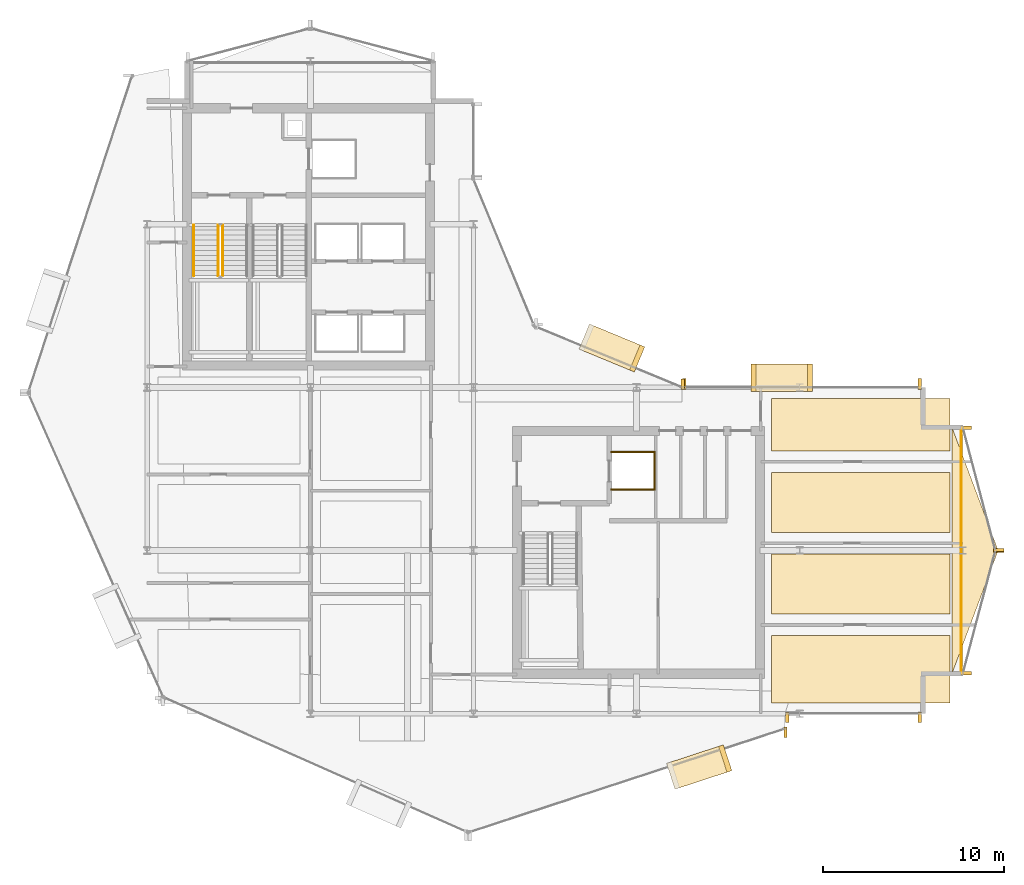
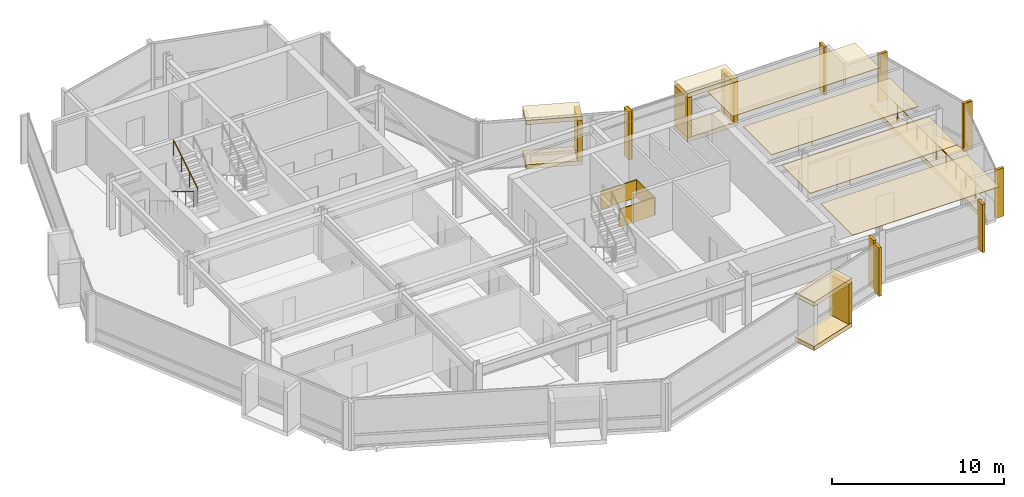
# One storey, part 27 of 28: 28 coverings, 4 railings.
"""IFC4 building model written with IfcOpenShell, lengths in metres."""

import ifcopenshell
import ifcopenshell.guid

model = None  # the IFC model being written
_history = None  # IfcOwnerHistory: only IFC2X3 demands one
_inside = {}  # id of a spatial element -> (the spatial element, [elements in it])
_under = {}  # id of a project, library or spatial element -> (it, [spatial elements below it])
_declared = {}  # id of a project -> (the project, [libraries it declares])
_typed = {}  # id of a type object -> (the type object, [elements of that type])
_made_of = {}  # id of a material, layer set ... -> (it, [elements and type objects made of it])


def new_model(schema):
    """Start an empty IFC model of exactly this schema.

    Asked for "IFC4X3", IfcOpenShell would pick the latest addendum, in which some entities
    have other attributes; the version numbers below select the first issue.
    IFC2X3 requires an IfcOwnerHistory on every rooted entity: one is made here for all.
    """
    global model, _history
    if schema == "IFC4X3":
        model = ifcopenshell.file(schema_version=(4, 3, 0, 0))
    else:
        model = ifcopenshell.file(schema=schema)
    _inside.clear()
    _under.clear()
    _declared.clear()
    _typed.clear()
    _made_of.clear()
    _history = None
    if model.schema == "IFC2X3":
        org = make("IfcOrganization", Name="unknown")
        user = make(
            "IfcPersonAndOrganization",
            ThePerson=make("IfcPerson", FamilyName="unknown"),
            TheOrganization=org,
        )
        app = make(
            "IfcApplication",
            ApplicationDeveloper=org,
            Version="unknown",
            ApplicationFullName="unknown",
            ApplicationIdentifier="unknown",
        )
        _history = make(
            "IfcOwnerHistory",
            OwningUser=user,
            OwningApplication=app,
            ChangeAction="ADDED",
            CreationDate=0,
        )
    return model


def make(cls, **values):
    """One entity of the class cls with the attributes given. An attribute that is None is left unset."""
    return model.create_entity(
        cls, **{name: value for name, value in values.items() if value is not None}
    )


def rooted(cls, **values):
    """An entity with a GlobalId (a new one), such as an element, a storey or a relation."""
    return make(cls, GlobalId=ifcopenshell.guid.new(), OwnerHistory=_history, **values)


def si_unit(unit_type, name, prefix=None):
    """IfcSIUnit, for example si_unit("LENGTHUNIT", "METRE", prefix="MILLI")."""
    return make("IfcSIUnit", UnitType=unit_type, Prefix=prefix, Name=name)


def assignment(units):
    """IfcUnitAssignment: the units of a project."""
    return None if units is None else make("IfcUnitAssignment", Units=units)


def point(xyz):
    """IfcCartesianPoint."""
    return None if xyz is None else make("IfcCartesianPoint", Coordinates=xyz)


def direction(xyz):
    """IfcDirection."""
    return None if xyz is None else make("IfcDirection", DirectionRatios=xyz)


def frame(location, z_axis=None, x_axis=None):
    """IfcAxis2Placement3D, a coordinate frame: its origin and axes. An axis left out is left unset."""
    return make(
        "IfcAxis2Placement3D",
        Location=point(location),
        Axis=direction(z_axis),
        RefDirection=direction(x_axis),
    )


def frame_2d(location, x_axis=None):
    """IfcAxis2Placement2D, a coordinate frame in the plane: its origin and x axis."""
    return make(
        "IfcAxis2Placement2D", Location=point(location), RefDirection=direction(x_axis)
    )


def origin():
    """The frame at (0, 0, 0) with its axes left unset."""
    return frame((0.0, 0.0, 0.0))


def origin_2d():
    """The frame at (0, 0) in the plane with its x axis left unset."""
    return frame_2d((0.0, 0.0))


def place(relative_to, where):
    """IfcLocalPlacement: puts the frame where relative to a parent placement (None: the world)."""
    return make(
        "IfcLocalPlacement", PlacementRelTo=relative_to, RelativePlacement=where
    )


def context(
    kind, dimensions, precision=None, world=None, true_north=None, identifier=None
):
    """IfcGeometricRepresentationContext, for example the 3D "Model" context."""
    return make(
        "IfcGeometricRepresentationContext",
        ContextIdentifier=identifier,
        ContextType=kind,
        CoordinateSpaceDimension=dimensions,
        Precision=precision,
        WorldCoordinateSystem=world,
        TrueNorth=true_north,
    )


def subcontext(parent, identifier, kind, view, scale=None):
    """IfcGeometricRepresentationSubContext, for example "Body" below "Model"."""
    return make(
        "IfcGeometricRepresentationSubContext",
        ContextIdentifier=identifier,
        ContextType=kind,
        ParentContext=parent,
        TargetScale=scale,
        TargetView=view,
    )


def project(units=None, contexts=None):
    """IfcProject with its units and contexts."""
    return rooted(
        "IfcProject",
        Name="project",
        RepresentationContexts=contexts,
        UnitsInContext=assignment(units),
    )


def spatial(cls, under=None, at=None, **own):
    """A site, building, storey or space (cls), placed at a placement, below another one or the project."""
    s = rooted(cls, ObjectPlacement=at, **own)
    if under is not None:
        _under.setdefault(under.id(), (under, []))[1].append(s)
    return s


def polyline(points):
    """IfcPolyline through the points."""
    return make("IfcPolyline", Points=[point(p) for p in points])


def profile(cls, at=None, kind="AREA", **sizes):
    """A parametric profile (cls). Its sizes go by their IFC names, for example OverallWidth=200.0."""
    return make(cls, ProfileType=kind, Position=at, **sizes)


def rectangle(**sizes):
    """IfcRectangleProfileDef."""
    return profile("IfcRectangleProfileDef", **sizes)


def circle(**sizes):
    """IfcCircleProfileDef."""
    return profile("IfcCircleProfileDef", **sizes)


def outline(outer, holes=None, kind="AREA"):
    """IfcArbitraryClosedProfileDef: a profile drawn as a closed curve; with holes, ...WithVoids."""
    if holes is None:
        return make("IfcArbitraryClosedProfileDef", ProfileType=kind, OuterCurve=outer)
    return make(
        "IfcArbitraryProfileDefWithVoids",
        ProfileType=kind,
        OuterCurve=outer,
        InnerCurves=holes,
    )


def extrude(swept, where, along, depth):
    """IfcExtrudedAreaSolid: the profile swept, set in the frame where, extruded along a direction by depth."""
    return make(
        "IfcExtrudedAreaSolid",
        SweptArea=swept,
        Position=where,
        ExtrudedDirection=direction(along),
        Depth=depth,
    )


def shape(context_of_items, identifier, shape_type, items):
    """IfcShapeRepresentation: the items that make up one representation, for example the "Body"."""
    return make(
        "IfcShapeRepresentation",
        ContextOfItems=context_of_items,
        RepresentationIdentifier=identifier,
        RepresentationType=shape_type,
        Items=items,
    )


def material(Name=None, Category=None):
    """IfcMaterial."""
    return make("IfcMaterial", Name=Name, Category=Category)


def layer(
    of_material, thickness, ventilated=None, Name=None, Category=None, Priority=None
):
    """IfcMaterialLayer: one layer of a wall or slab, of a material (None: an air gap)."""
    return make(
        "IfcMaterialLayer",
        Material=of_material,
        LayerThickness=thickness,
        IsVentilated=ventilated,
        Name=Name,
        Category=Category,
        Priority=Priority,
    )


def layer_set(layers, Name=None):
    """IfcMaterialLayerSet."""
    return make("IfcMaterialLayerSet", MaterialLayers=layers, LayerSetName=Name)


def made_of(thing, what):
    """Note that an element or type object is made of a material, layer set ...; save() writes the relation."""
    if what is not None:
        _made_of.setdefault(what.id(), (what, []))[1].append(thing)
    return thing


def type_object(cls, material=None, **own):
    """A type object (cls), such as IfcWallType, which elements share."""
    return made_of(rooted(cls, **own), material)


def element(
    cls,
    number,
    at=None,
    inside=None,
    cuts=None,
    type_object=None,
    material=None,
    context=None,
    identifier="Body",
    shape_type=None,
    held_by="IfcProductDefinitionShape",
    body=None,
    shapes=None,
    **own,
):
    """One element of the class cls, such as IfcWall. Its Tag is "e" and its number.

    at: its placement. inside: the storey or other place that contains it. cuts: it is an
    opening in that element (IfcRelVoidsElement). A single representation is given by context,
    identifier, shape_type and body (its items); several are given by shapes. held_by: the class
    of the entity that holds the representations. save() writes the other relations.
    """
    e = rooted(cls, Tag="e%d" % number, ObjectPlacement=at, **own)
    if body is not None:
        shapes = [shape(context, identifier, shape_type, body)]
    if shapes is not None:
        e.Representation = make(held_by, Representations=shapes)
    if inside is not None:
        _inside.setdefault(inside.id(), (inside, []))[1].append(e)
    if cuts is not None:
        rooted(
            "IfcRelVoidsElement", RelatingBuildingElement=cuts, RelatedOpeningElement=e
        )
    if type_object is not None:
        _typed.setdefault(type_object.id(), (type_object, []))[1].append(e)
    return made_of(e, material)


def aggregate(whole, parts):
    """IfcRelAggregates: a whole, such as a stair, and the parts it consists of."""
    return rooted("IfcRelAggregates", RelatingObject=whole, RelatedObjects=parts)


def save(model, path):
    """Write the relations noted so far, then the file.

    IfcRelAggregates (storeys below a building ...), IfcRelContainedInSpatialStructure (elements
    in a storey), IfcRelDefinesByType, IfcRelAssociatesMaterial and IfcRelDeclares: one each for
    every whole, place, type object, material and project.
    """
    for whole, parts in _under.values():
        aggregate(whole, parts)
    for where, things in _inside.values():
        rooted(
            "IfcRelContainedInSpatialStructure",
            RelatedElements=things,
            RelatingStructure=where,
        )
    for kind, things in _typed.values():
        rooted("IfcRelDefinesByType", RelatedObjects=things, RelatingType=kind)
    for what, things in _made_of.values():
        rooted("IfcRelAssociatesMaterial", RelatedObjects=things, RelatingMaterial=what)
    for by, libraries in _declared.values():
        rooted("IfcRelDeclares", RelatingContext=by, RelatedDefinitions=libraries)
    model.write(path)


model = new_model("IFC4")

# Units and contexts
model_context = context("Model", 3, precision=1e-05, world=origin(), true_north=direction((0.0, 1.0)))
body_context = subcontext(model_context, "Body", "Model", "MODEL_VIEW")
ifc_project = project(units=[si_unit("LENGTHUNIT", "METRE"), si_unit("AREAUNIT", "SQUARE_METRE"), si_unit("VOLUMEUNIT", "CUBIC_METRE"), si_unit("PLANEANGLEUNIT", "RADIAN"), si_unit("MASSUNIT", "GRAM", prefix="KILO")], contexts=[model_context])

# Site, building, storey
site_placement = place(None, origin())
site = spatial("IfcSite", under=ifc_project, at=site_placement, CompositionType="ELEMENT")
building_placement = place(site_placement, origin())
building = spatial("IfcBuilding", under=site, at=building_placement, Name="Solvaryn Broadcast Tower", CompositionType="ELEMENT")
storey_placement = place(building_placement, frame((0.0, 0.0, 209.89990234375)))
storey = spatial("IfcBuildingStorey", under=building, at=storey_placement, Name="L52", CompositionType="ELEMENT", Elevation=209.89990234375)

# Coverings
ifc_material_1 = material(Name="Micro-Perforated Acoustic Gypsum Ceiling", Category="concrete")
ifc_layer_1 = layer(ifc_material_1, 0.0400390625)
ifc_layer_set_1 = layer_set([ifc_layer_1], Name="CV-CEIL-ACOUSTIC")
covering_type_1 = type_object("IfcCoveringType", Name="CV-CEIL-ACOUSTIC", PredefinedType="CEILING", material=ifc_layer_set_1)
covering_1_placement = place(storey_placement, frame((0.0, 0.0, 3.380126953125)))
element("IfcCovering", 1, at=covering_1_placement, inside=storey, type_object=covering_type_1, Name="L52 Room Acoustic Ceiling 7", PredefinedType="CEILING", context=body_context, shape_type="SweptSolid", body=[
    extrude(outline(polyline([(43.449951171875, 9.60009765625), (53.300048828125, 9.60009765625), (53.300048828125, 13.300048828125), (43.449951171875, 13.300048828125), (43.449951171875, 9.60009765625)])), origin(), (0.0, 0.0, 1.0), 0.0400390625),
])
covering_2_placement = place(storey_placement, frame((0.0, 0.0, 3.380126953125)))
element("IfcCovering", 2, at=covering_2_placement, inside=storey, type_object=covering_type_1, Name="L52 Room Acoustic Ceiling 8", PredefinedType="CEILING", context=body_context, shape_type="SweptSolid", body=[
    extrude(outline(polyline([(43.449951171875, 14.5), (53.300048828125, 14.5), (53.300048828125, 17.800048828125), (43.449951171875, 17.800048828125), (43.449951171875, 14.5)])), origin(), (0.0, 0.0, 1.0), 0.0400390625),
])
covering_3_placement = place(storey_placement, frame((0.0, 0.0, 3.380126953125)))
element("IfcCovering", 3, at=covering_3_placement, inside=storey, type_object=covering_type_1, Name="L52 Room Acoustic Ceiling 9", PredefinedType="CEILING", context=body_context, shape_type="SweptSolid", body=[
    extrude(outline(polyline([(43.449951171875, 19.0), (53.300048828125, 19.0), (53.300048828125, 22.300048828125), (43.449951171875, 22.300048828125), (43.449951171875, 19.0)])), origin(), (0.0, 0.0, 1.0), 0.0400390625),
])
covering_4_placement = place(storey_placement, frame((0.0, 0.0, 3.380126953125)))
element("IfcCovering", 4, at=covering_4_placement, inside=storey, type_object=covering_type_1, Name="L52 Room Acoustic Ceiling 10", PredefinedType="CEILING", context=body_context, shape_type="SweptSolid", body=[
    extrude(outline(polyline([(43.449951171875, 23.5), (53.300048828125, 23.5), (53.300048828125, 26.39990234375), (43.449951171875, 26.39990234375), (43.449951171875, 23.5)])), origin(), (0.0, 0.0, 1.0), 0.0400390625),
])
ifc_material_2 = material(Name="Fire-Rated Gypsum Shaftwall Liner", Category="concrete")
ifc_layer_2 = layer(ifc_material_2, 0.080078125)
ifc_layer_set_2 = layer_set([ifc_layer_2], Name="CV-SHAFT-LINER")
covering_type_2 = type_object("IfcCoveringType", Name="CV-SHAFT-LINER", PredefinedType="CLADDING", material=ifc_layer_set_2)
for number, where, z_axis, x_axis, name in (
    (5, (35.800048828125, 23.43994140625, 0.0), (0.0, 0.0, 1.0), (1.0, 0.0, 0.0), "L52 FL2 Hoistway Shaft Liner North"),
    (6, (35.800048828125, 21.360107421875, 0.0), (0.0, 0.0, 1.0), (1.0, 0.0, 0.0), "L52 FL2 Hoistway Shaft Liner South"),
):
    element("IfcCovering", number, at=place(storey_placement, frame(where, z_axis=z_axis, x_axis=x_axis)), inside=storey, type_object=covering_type_2, Name=name, PredefinedType="CLADDING", context=body_context, shape_type="SweptSolid", body=[
        extrude(rectangle(XDim=2.4599609375, YDim=0.080078125, at=origin_2d()), origin(), (0.0, 0.0, 1.0), 1.25),
    ])
covering_5_placement = place(storey_placement, frame((36.989990234375, 22.39990234375, 0.0), z_axis=(0.0, 0.0, 1.0), x_axis=(1.0, 0.0, 0.0)))
element("IfcCovering", 7, at=covering_5_placement, inside=storey, type_object=covering_type_2, Name="L52 FL2 Hoistway Shaft Liner East", PredefinedType="CLADDING", context=body_context, shape_type="SweptSolid", body=[
    extrude(rectangle(XDim=0.080078125, YDim=2.159912109375, at=origin_2d()), origin(), (0.0, 0.0, 1.0), 1.25),
])
ifc_material_3 = material(Name="Glazed Architectural Terracotta Rainscreen Cladding", Category="masonry")
ifc_layer_3 = layer(ifc_material_3, 0.280029296875)
ifc_layer_set_3 = layer_set([ifc_layer_3], Name="CV-TC-CLAD")
covering_type_3 = type_object("IfcCoveringType", Name="CV-TC-CLAD", PredefinedType="CLADDING", material=ifc_layer_set_3)
for number, where, z_axis, x_axis, name in (
    (8, (39.4541015625, 6.054931640625, 3.1298828125), (0.0, 0.0, 1.0), (0.950244253402, 0.311505792684, 0.0), "L52 Projecting Stone Window Box Hood 4"),
    (9, (39.4541015625, 6.054931640625, -0.009765625), (0.0, 0.0, 1.0), (0.950244253402, 0.311505792684, 0.0), "L52 Projecting Stone Window Box Sill 4"),
):
    element("IfcCovering", number, at=place(storey_placement, frame(where, z_axis=z_axis, x_axis=x_axis)), inside=storey, type_object=covering_type_3, Name=name, PredefinedType="CLADDING", context=body_context, shape_type="SweptSolid", body=[
        extrude(rectangle(XDim=3.300048828125, YDim=1.5, at=origin_2d()), origin(), (0.0, 0.0, 1.0), 0.300048828125),
    ])
covering_6_placement = place(storey_placement, frame((40.888916015625, 6.525390625, 0.2802734375), z_axis=(0.0, 0.0, 1.0), x_axis=(0.950244253402, 0.311505792684, 0.0)))
element("IfcCovering", 10, at=covering_6_placement, inside=storey, type_object=covering_type_3, Name="L52 Projecting Stone Window Box Cheek 4-2", PredefinedType="CLADDING", context=body_context, shape_type="SweptSolid", body=[
    extrude(rectangle(XDim=0.280029296875, YDim=1.5, at=origin_2d()), origin(), (0.0, 0.0, 1.0), 2.860107421875),
])
for number, where, z_axis, x_axis, name in (
    (11, (34.636962890625, 29.174072265625, 3.1298828125), (0.0, 0.0, 1.0), (-0.923879532511, 0.382683432365, 0.0), "L52 Projecting Stone Window Box Hood 5"),
    (12, (34.636962890625, 29.174072265625, -0.009765625), (0.0, 0.0, 1.0), (-0.923879532511, 0.382683432365, 0.0), "L52 Projecting Stone Window Box Sill 5"),
):
    element("IfcCovering", number, at=place(storey_placement, frame(where, z_axis=z_axis, x_axis=x_axis)), inside=storey, type_object=covering_type_3, Name=name, PredefinedType="CLADDING", context=body_context, shape_type="SweptSolid", body=[
        extrude(rectangle(XDim=3.300048828125, YDim=1.5, at=origin_2d()), origin(), (0.0, 0.0, 1.0), 0.300048828125),
    ])
covering_7_placement = place(storey_placement, frame((36.031982421875, 28.59619140625, 0.2802734375), z_axis=(0.0, 0.0, 1.0), x_axis=(-0.923879532511, 0.382683432365, 0.0)))
element("IfcCovering", 13, at=covering_7_placement, inside=storey, type_object=covering_type_3, Name="L52 Projecting Stone Window Box Cheek 5-1", PredefinedType="CLADDING", context=body_context, shape_type="SweptSolid", body=[
    extrude(rectangle(XDim=0.280029296875, YDim=1.5, at=origin_2d()), origin(), (0.0, 0.0, 1.0), 2.860107421875),
])
for number, where, z_axis, x_axis, name in (
    (14, (44.0, 27.530029296875, 3.1298828125), (0.0, 0.0, 1.0), (1.0, 0.0, 0.0), "L52 Projecting Stone Window Box Hood 6"),
    (15, (44.0, 27.530029296875, -0.009765625), (0.0, 0.0, 1.0), (1.0, 0.0, 0.0), "L52 Projecting Stone Window Box Sill 6"),
):
    element("IfcCovering", number, at=place(storey_placement, frame(where, z_axis=z_axis, x_axis=x_axis)), inside=storey, type_object=covering_type_3, Name=name, PredefinedType="CLADDING", context=body_context, shape_type="SweptSolid", body=[
        extrude(rectangle(XDim=3.39990234375, YDim=1.5, at=origin_2d()), origin(), (0.0, 0.0, 1.0), 0.300048828125),
    ])
for number, where, z_axis, x_axis, name in (
    (16, (42.43994140625, 27.530029296875, 0.2802734375), (0.0, 0.0, 1.0), (1.0, 0.0, 0.0), "L52 Projecting Stone Window Box Cheek 6-1"),
    (17, (45.56005859375, 27.530029296875, 0.2802734375), (0.0, 0.0, 1.0), (1.0, 0.0, 0.0), "L52 Projecting Stone Window Box Cheek 6-2"),
):
    element("IfcCovering", number, at=place(storey_placement, frame(where, z_axis=z_axis, x_axis=x_axis)), inside=storey, type_object=covering_type_3, Name=name, PredefinedType="CLADDING", context=body_context, shape_type="SweptSolid", body=[
        extrude(rectangle(XDim=0.280029296875, YDim=1.5, at=origin_2d()), origin(), (0.0, 0.0, 1.0), 2.860107421875),
    ])
ifc_material_4 = material(Name="Extruded Architectural Terracotta Fin", Category="masonry")
ifc_layer_4 = layer(ifc_material_4, 0.179931640625)
ifc_layer_set_4 = layer_set([ifc_layer_4], Name="CV-TC-FIN")
covering_type_4 = type_object("IfcCoveringType", Name="CV-TC-FIN", PredefinedType="USERDEFINED", material=ifc_layer_set_4)
for number, where, z_axis, x_axis, name in (
    (18, (44.209716796875, 7.982666015625, 0.000244140625), (0.0, 0.0, 1.0), (1.0, 0.0, 0.0), "L52 Terracotta Vertical Fin FIN-L52-DR4-M01"),
    (19, (38.541259765625, 27.177978515625, 0.000244140625), (0.0, 0.0, 1.0), (1.0, 0.0, 0.0), "L52 Terracotta Vertical Fin FIN-L52-CN1-M00"),
    (20, (44.31201171875, 8.8125, 0.000244140625), (0.0, 0.0, 1.0), (1.0, 0.0, 0.0), "L52 Terracotta Vertical Fin FIN-L52-S2-M00"),
    (21, (51.6201171875, 8.8125, 0.000244140625), (0.0, 0.0, 1.0), (1.0, 0.0, 0.0), "L52 Terracotta Vertical Fin FIN-L52-S2-M01"),
):
    element("IfcCovering", number, at=place(storey_placement, frame(where, z_axis=z_axis, x_axis=x_axis)), inside=storey, type_object=covering_type_4, Name=name, ObjectType="FIN", PredefinedType="USERDEFINED", context=body_context, shape_type="SweptSolid", body=[
        extrude(rectangle(XDim=0.179931640625, YDim=0.580078125, at=origin_2d()), origin(), (0.0, 0.0, 1.0), 3.419921875),
    ])
for number, where, z_axis, x_axis, name in (
    (22, (54.1953125, 24.77099609375, 0.000244140625), (0.0, 0.0, 1.0), (1.0, 0.0, 0.0), "L52 Terracotta Vertical Fin FIN-L52-ET1-M00"),
    (23, (55.979736328125, 18.029052734375, 0.000244140625), (0.0, 0.0, 1.0), (1.0, 0.0, 0.0), "L52 Terracotta Vertical Fin FIN-L52-ET1-M01"),
    (24, (55.979736328125, 17.970947265625, 0.000244140625), (0.0, 0.0, 1.0), (1.0, 0.0, 0.0), "L52 Terracotta Vertical Fin FIN-L52-ET2-M00"),
    (25, (54.1953125, 11.22900390625, 0.000244140625), (0.0, 0.0, 1.0), (1.0, 0.0, 0.0), "L52 Terracotta Vertical Fin FIN-L52-ET2-M01"),
):
    element("IfcCovering", number, at=place(storey_placement, frame(where, z_axis=z_axis, x_axis=x_axis)), inside=storey, type_object=covering_type_4, Name=name, ObjectType="FIN", PredefinedType="USERDEFINED", context=body_context, shape_type="SweptSolid", body=[
        extrude(rectangle(XDim=0.580078125, YDim=0.179931640625, at=origin_2d()), origin(), (0.0, 0.0, 1.0), 3.419921875),
    ])
for number, where, z_axis, x_axis, name in (
    (26, (38.6298828125, 27.1875, 0.000244140625), (0.0, 0.0, 1.0), (1.0, 0.0, 0.0), "L52 Terracotta Vertical Fin FIN-L52-IH-M00"),
    (27, (51.6201171875, 27.1875, 0.000244140625), (0.0, 0.0, 1.0), (1.0, 0.0, 0.0), "L52 Terracotta Vertical Fin FIN-L52-IH-M01"),
):
    element("IfcCovering", number, at=place(storey_placement, frame(where, z_axis=z_axis, x_axis=x_axis)), inside=storey, type_object=covering_type_4, Name=name, ObjectType="FIN", PredefinedType="USERDEFINED", context=body_context, shape_type="SweptSolid", body=[
        extrude(rectangle(XDim=0.179931640625, YDim=0.580078125, at=origin_2d()), origin(), (0.0, 0.0, 1.0), 3.419921875),
    ])
ifc_material_5 = material(Name="Sculpted Architectural Terracotta Wave Fascia", Category="masonry")
ifc_layer_5 = layer(ifc_material_5, 0.340087890625)
ifc_layer_set_5 = layer_set([ifc_layer_5], Name="CV-WAVE-TRAY")
covering_type_5 = type_object("IfcCoveringType", Name="CV-WAVE-TRAY", PredefinedType="CLADDING", material=ifc_layer_set_5)
covering_8_placement = place(storey_placement, frame((0.0, 0.0, -0.2998046875)))
element("IfcCovering", 28, at=covering_8_placement, inside=storey, type_object=covering_type_5, Name="L52 East Curved Wing Deck", PredefinedType="CLADDING", context=body_context, shape_type="SweptSolid", body=[
    extrude(outline(polyline([(53.39990234375, 11.199951171875), (55.949951171875, 18.0), (53.39990234375, 24.800048828125), (53.39990234375, 11.199951171875)])), origin(), (0.0, 0.0, 1.0), 0.329833984375),
])

# Railings
ifc_material_6 = material(Name="Painted Steel Stair Well Guard", Category="steel")
railing_type_1 = type_object("IfcRailingType", Name="RL-STAIR-GUARD", PredefinedType="BALUSTRADE", material=ifc_material_6)
railing_1_placement = place(storey_placement, frame((12.909912109375, 35.9599609375, 0.168212890625)))
element("IfcRailing", 29, at=railing_1_placement, inside=storey, type_object=railing_type_1, Name="L52 ST1 stair guard 1", PredefinedType="BALUSTRADE", context=body_context, shape_type="SweptSolid", body=[
    extrude(circle(Radius=0.02392578125, at=origin_2d()), frame((0.0, 0.0, 1.076171875), z_axis=(0.0, -0.857242210791, 0.514913383045), x_axis=(1.0, 0.0, 0.0)), (0.0, 0.0, 1.0), 3.266357421875),
    extrude(circle(Radius=0.02099609375, at=origin_2d()), origin(), (0.0, 0.0, 1.0), 1.052001953125),
    extrude(circle(Radius=0.02099609375, at=origin_2d()), frame((0.0, -0.933349609375, 0.560546875)), (0.0, 0.0, 1.0), 1.052001953125),
    extrude(circle(Radius=0.02099609375, at=origin_2d()), frame((0.0, -1.86669921875, 1.121337890625)), (0.0, 0.0, 1.0), 1.052001953125),
    extrude(circle(Radius=0.02099609375, at=origin_2d()), frame((0.0, -2.800048828125, 1.681884765625)), (0.0, 0.0, 1.0), 1.052001953125),
])
railing_2_placement = place(storey_placement, frame((13.159912109375, 33.159912109375, 2.018310546875)))
element("IfcRailing", 30, at=railing_2_placement, inside=storey, type_object=railing_type_1, Name="L52 ST1 stair guard 3", PredefinedType="BALUSTRADE", context=body_context, shape_type="SweptSolid", body=[
    extrude(circle(Radius=0.02392578125, at=origin_2d()), frame((0.0, 0.0, 1.076171875), z_axis=(0.0, 0.857242210791, 0.514913383045), x_axis=(-1.0, 0.0, 0.0)), (0.0, 0.0, 1.0), 3.266357421875),
    extrude(circle(Radius=0.02099609375, at=origin_2d()), origin(), (0.0, 0.0, 1.0), 1.052001953125),
    extrude(circle(Radius=0.02099609375, at=origin_2d()), frame((0.0, 0.933349609375, 0.560546875)), (0.0, 0.0, 1.0), 1.052001953125),
    extrude(circle(Radius=0.02099609375, at=origin_2d()), frame((0.0, 1.86669921875, 1.121337890625)), (0.0, 0.0, 1.0), 1.052001953125),
    extrude(circle(Radius=0.02099609375, at=origin_2d()), frame((0.0, 2.800048828125, 1.681884765625)), (0.0, 0.0, 1.0), 1.052001953125),
])
ifc_material_7 = material(Name="Brushed Stainless Steel Tubular Handrail", Category="steel")
railing_type_2 = type_object("IfcRailingType", Name="RL-STAIR-HANDRAIL", PredefinedType="HANDRAIL", material=ifc_material_7)
railing_3_placement = place(storey_placement, frame((11.570068359375, 35.9599609375, 0.168212890625)))
element("IfcRailing", 31, at=railing_3_placement, inside=storey, type_object=railing_type_2, Name="L52 ST1 stair handrail 1", PredefinedType="HANDRAIL", context=body_context, shape_type="SweptSolid", body=[
    extrude(circle(Radius=0.02392578125, at=origin_2d()), frame((0.0, 0.0, 0.8759765625), z_axis=(0.0, -0.857242210791, 0.514913383045), x_axis=(1.0, 0.0, 0.0)), (0.0, 0.0, 1.0), 3.266357421875),
    extrude(circle(Radius=0.02099609375, at=origin_2d()), origin(), (0.0, 0.0, 1.0), 0.851806640625),
    extrude(circle(Radius=0.02099609375, at=origin_2d()), frame((0.0, -0.933349609375, 0.560546875)), (0.0, 0.0, 1.0), 0.851806640625),
    extrude(circle(Radius=0.02099609375, at=origin_2d()), frame((0.0, -1.86669921875, 1.121337890625)), (0.0, 0.0, 1.0), 0.851806640625),
    extrude(circle(Radius=0.02099609375, at=origin_2d()), frame((0.0, -2.800048828125, 1.681884765625)), (0.0, 0.0, 1.0), 0.851806640625),
])
ifc_material_8 = material(Name="Stainless Steel and Laminated Glass Guard", Category="steel")
railing_type_3 = type_object("IfcRailingType", Name="RL-TER-1150", PredefinedType="BALUSTRADE", material=ifc_material_8)
railing_4_placement = place(storey_placement, frame((53.919921875, 11.199951171875, 0.0)))
element("IfcRailing", 32, at=railing_4_placement, inside=storey, type_object=railing_type_3, Name="L52 East Wing Spandrel Edge Guard", PredefinedType="BALUSTRADE", context=body_context, shape_type="SweptSolid", body=[
    extrude(circle(Radius=0.02392578125, at=origin_2d()), frame((0.0, 0.0, 1.1259765625), z_axis=(0.0, 1.0, 0.0), x_axis=(-1.0, 0.0, 0.0)), (0.0, 0.0, 1.0), 13.60009765625),
    extrude(circle(Radius=0.02099609375, at=origin_2d()), origin(), (0.0, 0.0, 1.0), 1.101806640625),
    extrude(circle(Radius=0.02099609375, at=origin_2d()), frame((0.0, 1.13330078125, 0.0)), (0.0, 0.0, 1.0), 1.101806640625),
    extrude(circle(Radius=0.02099609375, at=origin_2d()), frame((0.0, 2.2666015625, 0.0)), (0.0, 0.0, 1.0), 1.101806640625),
    extrude(circle(Radius=0.02099609375, at=origin_2d()), frame((0.0, 3.39990234375, 0.0)), (0.0, 0.0, 1.0), 1.101806640625),
    extrude(circle(Radius=0.02099609375, at=origin_2d()), frame((0.0, 4.533447265625, 0.0)), (0.0, 0.0, 1.0), 1.101806640625),
    extrude(circle(Radius=0.02099609375, at=origin_2d()), frame((0.0, 5.666748046875, 0.0)), (0.0, 0.0, 1.0), 1.101806640625),
    extrude(circle(Radius=0.02099609375, at=origin_2d()), frame((0.0, 6.800048828125, 0.0)), (0.0, 0.0, 1.0), 1.101806640625),
    extrude(circle(Radius=0.02099609375, at=origin_2d()), frame((0.0, 7.933349609375, 0.0)), (0.0, 0.0, 1.0), 1.101806640625),
    extrude(circle(Radius=0.02099609375, at=origin_2d()), frame((0.0, 9.066650390625, 0.0)), (0.0, 0.0, 1.0), 1.101806640625),
    extrude(circle(Radius=0.02099609375, at=origin_2d()), frame((0.0, 10.2001953125, 0.0)), (0.0, 0.0, 1.0), 1.101806640625),
    extrude(circle(Radius=0.02099609375, at=origin_2d()), frame((0.0, 11.33349609375, 0.0)), (0.0, 0.0, 1.0), 1.101806640625),
    extrude(circle(Radius=0.02099609375, at=origin_2d()), frame((0.0, 12.466796875, 0.0)), (0.0, 0.0, 1.0), 1.101806640625),
    extrude(circle(Radius=0.02099609375, at=origin_2d()), frame((0.0, 13.60009765625, 0.0)), (0.0, 0.0, 1.0), 1.101806640625),
])

save(model, "model.ifc")
